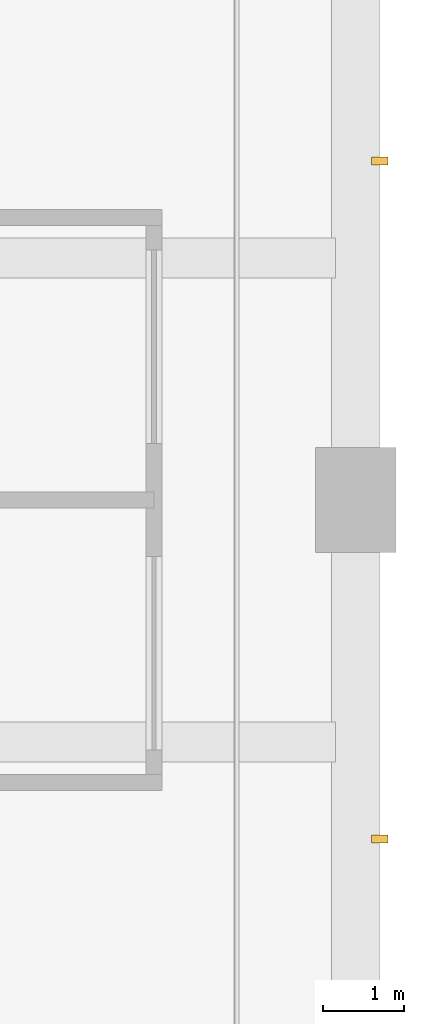
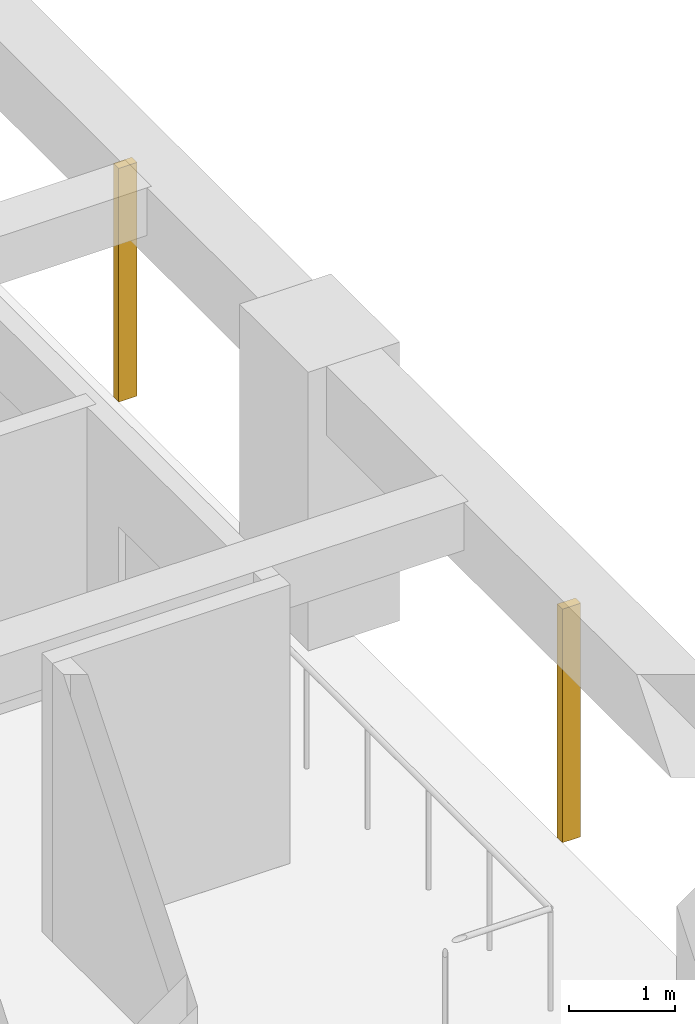
# One storey, part 16 of 17: 2 shading devices.
"""IFC4 building model written with IfcOpenShell, lengths in metres."""

from ifc_helpers import new_model, si_unit, direction, frame, origin, origin_2d, place, context, subcontext, project, spatial, rectangle, extrude, material, material_profile, profile_set, type_object, element, save


model = new_model("IFC4")

# Units and contexts
model_context = context("Model", 3, precision=1e-05, world=origin(), true_north=direction((0.0, 1.0)))
body_context = subcontext(model_context, "Body", "Model", "MODEL_VIEW")
ifc_project = project(units=[si_unit("LENGTHUNIT", "METRE"), si_unit("AREAUNIT", "SQUARE_METRE"), si_unit("VOLUMEUNIT", "CUBIC_METRE"), si_unit("PLANEANGLEUNIT", "RADIAN"), si_unit("MASSUNIT", "GRAM", prefix="KILO")], contexts=[model_context])

# Site, building, storey
site_placement = place(None, origin())
site = spatial("IfcSite", under=ifc_project, at=site_placement, CompositionType="ELEMENT")
building_placement = place(site_placement, origin())
building = spatial("IfcBuilding", under=site, at=building_placement, Name="Vermilion Gate Residences", CompositionType="ELEMENT")
storey_placement = place(building_placement, frame((0.0, 0.0, 95.199951171875)))
storey = spatial("IfcBuildingStorey", under=building, at=storey_placement, Name="L23", CompositionType="ELEMENT", Elevation=95.199951171875)

# Shading devices
ifc_material = material(Name="Extruded terracotta", Category="masonry")
ifc_material_profile = material_profile(ifc_material, rectangle(XDim=0.199951171875, YDim=0.10009765625, at=origin_2d()), Name="BAGUETTE 100 X 200")
ifc_profile_set = profile_set([ifc_material_profile], Name="Extruded terracotta")
shading_device_type = type_object("IfcShadingDeviceType", Name="TERRACOTTA BAGUETTE 100 X 200", PredefinedType="JALOUSIE", material=ifc_profile_set)
for number, where, z_axis, x_axis, name in (
    (1, (67.5, 12.60009765625, -0.280029296875), (0.0, 0.0, 1.0), (-1.0, 0.0, 0.0), "BAGUETTE"),
    (2, (67.5, 21.0, -0.280029296875), (0.0, 0.0, 1.0), (-1.0, 0.0, 0.0), "BAGUETTE"),
):
    element("IfcShadingDevice", number, at=place(storey_placement, frame(where, z_axis=z_axis, x_axis=x_axis)), inside=storey, type_object=shading_device_type, Name=name, PredefinedType="JALOUSIE", context=body_context, shape_type="SweptSolid", body=[
        extrude(rectangle(XDim=0.199951171875, YDim=0.10009765625, at=origin_2d()), origin(), (0.0, 0.0, 1.0), 2.7001953125),
    ])

save(model, "model.ifc")
